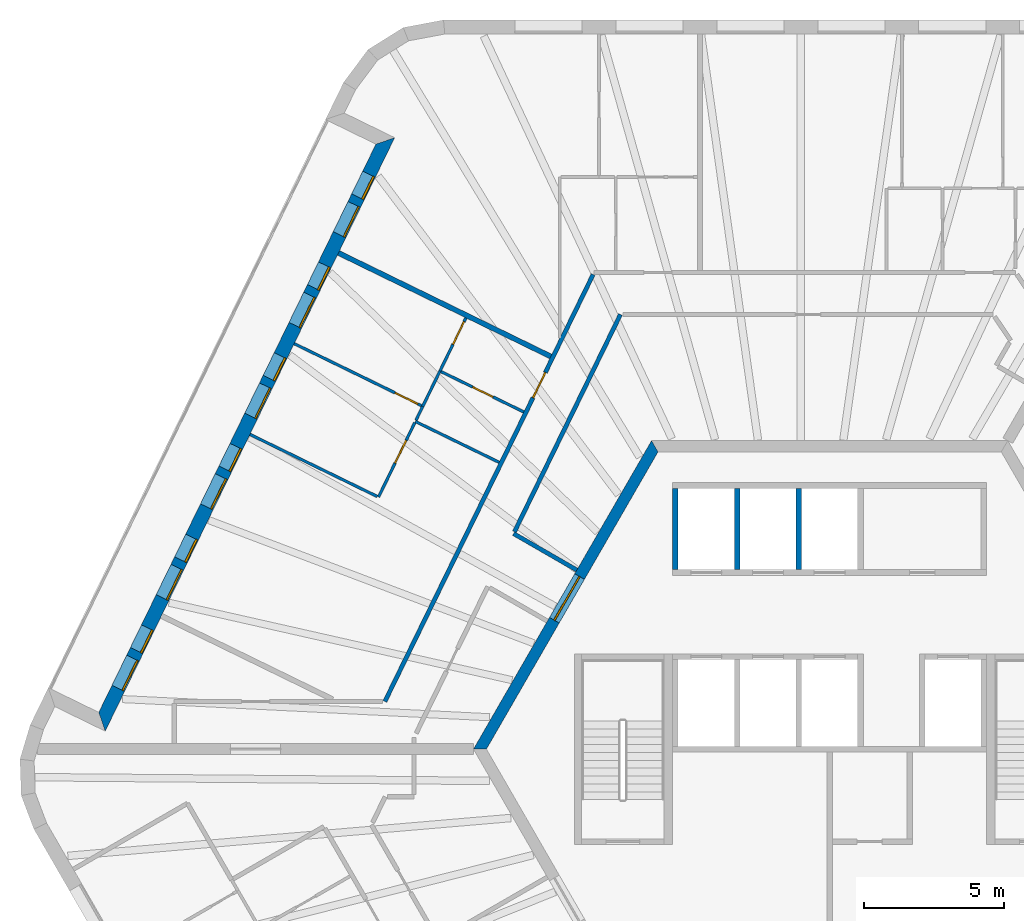
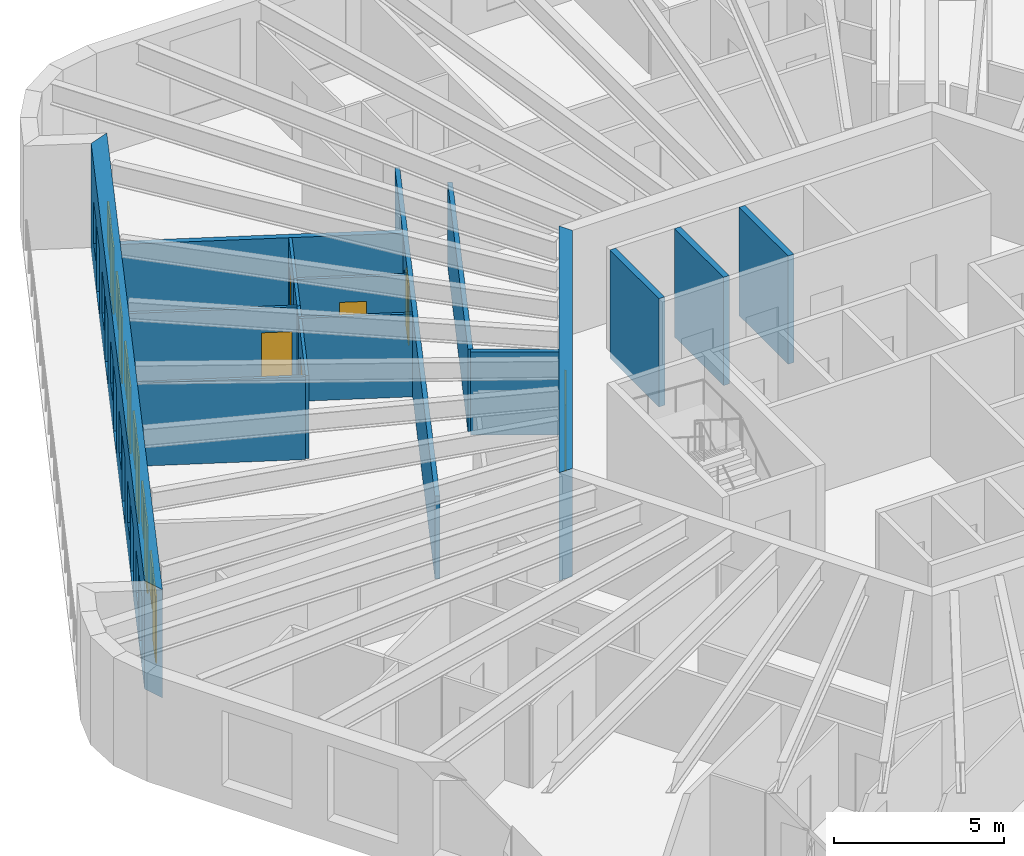
# One storey, part 8 of 12: 17 walls, 12 doors, 6 windows, 18 openings.
"""IFC4 building model written with IfcOpenShell, lengths in metres."""

from ifc_helpers import new_model, si_unit, direction, frame, frame_2d, origin, place, context, subcontext, project, spatial, polyline, rectangle, outline, extrude, material, layer, layer_set, type_object, element, fill, save


model = new_model("IFC4")

# Units and contexts
model_context = context("Model", 3, precision=1e-05, world=origin(), true_north=direction((0.0, 1.0)))
body_context = subcontext(model_context, "Body", "Model", "MODEL_VIEW")
ifc_project = project(units=[si_unit("LENGTHUNIT", "METRE"), si_unit("AREAUNIT", "SQUARE_METRE"), si_unit("VOLUMEUNIT", "CUBIC_METRE"), si_unit("PLANEANGLEUNIT", "RADIAN"), si_unit("MASSUNIT", "GRAM", prefix="KILO")], contexts=[model_context])

# Site, building, storey
site_placement = place(None, origin())
site = spatial("IfcSite", under=ifc_project, at=site_placement, CompositionType="ELEMENT")
building_placement = place(site_placement, origin())
building = spatial("IfcBuilding", under=site, at=building_placement, Name="Tarnside Tower", CompositionType="ELEMENT")
storey_placement = place(building_placement, frame((0.0, 0.0, 271.800048828125)))
storey = spatial("IfcBuildingStorey", under=building, at=storey_placement, Name="L65", CompositionType="ELEMENT", Elevation=271.800048828125)

# Wall
ifc_material_1 = material(Name="Gypsum board partition on steel studs", Category="steel")
ifc_layer_1 = layer(ifc_material_1, 0.10009765625)
ifc_layer_set_1 = layer_set([ifc_layer_1], Name="Bathroom wall 100")
wall_type_1 = type_object("IfcWallType", Name="Bathroom wall 100", PredefinedType="PARTITIONING", material=ifc_layer_set_1)
wall_1_placement = place(storey_placement, frame((-11.784912109375, 10.225830078125, 0.0), z_axis=(0.0, 0.0, 1.0), x_axis=(-0.898803726577, 0.438351298723, 0.0)))
element("IfcWall", 1, at=wall_1_placement, inside=storey, type_object=wall_type_1, Name="Bathroom wall 21106", PredefinedType="PARTITIONING", context=body_context, shape_type="SweptSolid", body=[
    extrude(rectangle(XDim=3.324951171875, YDim=0.10009765625, at=frame_2d((1.66259765625, 0.0))), origin(), (0.0, 0.0, 1.0), 2.98779296875),
])

# Wall, opening, door
wall_2_placement = place(storey_placement, frame((-13.896728515625, 13.48095703125, 0.0), z_axis=(0.0, 0.0, 1.0), x_axis=(0.898803726577, -0.438351298723, 0.0)))
wall_2 = element("IfcWall", 2, at=wall_2_placement, inside=storey, type_object=wall_type_1, Name="Bathroom wall 21110", PredefinedType="PARTITIONING", context=body_context, shape_type="SweptSolid", body=[
    extrude(rectangle(XDim=3.324951171875, YDim=0.10009765625, at=frame_2d((1.66259765625, 0.0))), origin(), (0.0, 0.0, 1.0), 2.98779296875),
])
opening_1_placement = place(wall_2_placement, frame((1.300048828125, 0.0, 0.0)))
opening_1 = element("IfcOpeningElement", 3, at=opening_1_placement, cuts=wall_2, Name="Opening D-B1", PredefinedType="OPENING", context=body_context, shape_type="SweptSolid", body=[
    extrude(rectangle(XDim=0.800048828125, YDim=2.10009765625, at=frame_2d((0.39990234375, 1.050048828125))), frame((0.0, 0.06005859375, 0.0), z_axis=(0.0, -1.0, 0.0), x_axis=(1.0, 0.0, 0.0)), (0.0, 0.0, 1.0), 0.1201171875),
])
ifc_material_2 = material(Name="Timber door leaf", Category="wood")
door_type_1 = type_object("IfcDoorType", Name="Bathroom door 800", OperationType="NOTDEFINED", PredefinedType="DOOR", material=ifc_material_2)
door_1_placement = place(opening_1_placement, origin())
door_1 = element("IfcDoor", 4, at=door_1_placement, inside=storey, type_object=door_type_1, Name="Bathroom door 21018", OperationType="SINGLE_SWING_LEFT", OverallHeight=2.10009765625, OverallWidth=0.800048828125, PredefinedType="DOOR", context=body_context, shape_type="SweptSolid", body=[
    extrude(rectangle(XDim=0.800048828125, YDim=2.10009765625, at=frame_2d((0.39990234375, 1.050048828125))), frame((0.0, 0.02490234375, 0.0), z_axis=(0.0, -1.0, 0.0), x_axis=(1.0, 0.0, 0.0)), (0.0, 0.0, 1.0), 0.050048828125),
])
fill(opening_1, door_1)

# Walls
wall_3_placement = place(storey_placement, frame((-13.895751953125, 13.48291015625, 0.0), z_axis=(0.0, 0.0, 1.0), x_axis=(-0.438416771233, -0.898771792337, 0.0)))
element("IfcWall", 5, at=wall_3_placement, inside=storey, type_object=wall_type_1, Name="Bathroom wall 21112", PredefinedType="PARTITIONING", context=body_context, shape_type="SweptSolid", body=[
    extrude(rectangle(XDim=1.402099609375, YDim=0.10009765625, at=frame_2d((0.701171875, 0.0))), origin(), (0.0, 0.0, 1.0), 2.98779296875),
])
wall_4_placement = place(storey_placement, frame((-14.510498046875, 12.22265625, 0.0), z_axis=(0.0, 0.0, 1.0), x_axis=(-0.438345197703, -0.898806702051, 0.0)))
element("IfcWall", 6, at=wall_4_placement, inside=storey, type_object=wall_type_1, Name="Bathroom wall 21113", PredefinedType="PARTITIONING", context=body_context, shape_type="SweptSolid", body=[
    extrude(rectangle(XDim=0.552001953125, YDim=0.10009765625, at=frame_2d((0.27587890625, 0.0))), origin(), (0.0, 0.0, 1.0), 2.98779296875),
])

# Wall, opening, door
ifc_material_3 = material(Name="Concrete C60/75", Category="concrete")
ifc_layer_2 = layer(ifc_material_3, 0.39990234375)
ifc_layer_set_2 = layer_set([ifc_layer_2], Name="Core wall Z3 400 C60/75")
wall_type_2 = type_object("IfcWallType", Name="Core wall Z3 400 C60/75", PredefinedType="SHEAR", material=ifc_layer_set_2)
wall_5_placement = place(storey_placement, frame((-6.2353515625, 10.800048828125, -0.150146484375), z_axis=(0.0, 0.0, 1.0), x_axis=(-0.499996419489, -0.866027470984, 0.0)))
wall_5 = element("IfcWall", 7, at=wall_5_placement, inside=storey, type_object=wall_type_2, Name="L65 core wall face 2", PredefinedType="SHEAR", context=body_context, shape_type="SweptSolid", body=[
    extrude(outline(polyline([(-0.115478515625, -0.199951171875), (12.586181640625, -0.199951171875), (12.355224609375, 0.199951171875), (0.115478515625, 0.199951171875), (-0.115478515625, -0.199951171875)])), origin(), (0.0, 0.0, 1.0), 3.900146484375),
])
opening_2_placement = place(wall_5_placement, frame((5.3642578125, 0.0, 0.14990234375)))
opening_2 = element("IfcOpeningElement", 8, at=opening_2_placement, cuts=wall_5, Name="Opening CD-LOB", PredefinedType="OPENING", context=body_context, shape_type="SweptSolid", body=[
    extrude(rectangle(XDim=1.800048828125, YDim=2.39990234375, at=frame_2d((0.89990234375, 1.199951171875))), frame((0.0, 0.2099609375, 0.0), z_axis=(0.0, -1.0, 0.0), x_axis=(1.0, 0.0, 0.0)), (0.0, 0.0, 1.0), 0.419921875),
])
ifc_material_4 = material(Name="Steel fire door", Category="steel")
door_type_2 = type_object("IfcDoorType", Name="Lobby double door FD30S 1800x2400", OperationType="NOTDEFINED", PredefinedType="DOOR", material=ifc_material_4)
door_2_placement = place(opening_2_placement, origin())
door_2 = element("IfcDoor", 9, at=door_2_placement, inside=storey, type_object=door_type_2, Name="L65 core door P1", OperationType="DOUBLE_DOOR_SINGLE_SWING", OverallHeight=2.39990234375, OverallWidth=1.800048828125, PredefinedType="DOOR", context=body_context, shape_type="SweptSolid", body=[
    extrude(rectangle(XDim=1.800048828125, YDim=2.39990234375, at=frame_2d((0.89990234375, 1.199951171875))), frame((0.0, 0.02490234375, 0.0), z_axis=(0.0, -1.0, 0.0), x_axis=(1.0, 0.0, 0.0)), (0.0, 0.0, 1.0), 0.050048828125),
])
fill(opening_2, door_2)

ifc_layer_3 = layer(ifc_material_1, 0.14990234375)
ifc_layer_set_3 = layer_set([ifc_layer_3], Name="Corridor wall 150 EI 60")
wall_type_3 = type_object("IfcWallType", Name="Corridor wall 150 EI 60", PredefinedType="PARTITIONING", material=ifc_layer_set_3)
wall_6_placement = place(storey_placement, frame((-8.43408203125, 16.925048828125, 0.0), z_axis=(0.0, 0.0, 1.0), x_axis=(-0.438371383278, -0.898793930956, 0.0)))
wall_6 = element("IfcWall", 10, at=wall_6_placement, inside=storey, type_object=wall_type_3, Name="Corridor wall 21010", PredefinedType="PARTITIONING", context=body_context, shape_type="SweptSolid", body=[
    extrude(rectangle(XDim=16.939453125, YDim=0.14990234375, at=frame_2d((8.4697265625, 0.0))), origin(), (0.0, 0.0, 1.0), 2.98779296875),
])
opening_3_placement = place(wall_6_placement, frame((3.89013671875, 0.0, 0.0)))
opening_3 = element("IfcOpeningElement", 11, at=opening_3_placement, cuts=wall_6, Name="Opening D-E1", PredefinedType="OPENING", context=body_context, shape_type="SweptSolid", body=[
    extrude(rectangle(XDim=1.0, YDim=2.10009765625, at=frame_2d((0.5, 1.050048828125))), frame((0.0, 0.0849609375, 0.0), z_axis=(0.0, -1.0, 0.0), x_axis=(1.0, 0.0, 0.0)), (0.0, 0.0, 1.0), 0.169921875),
])
door_type_3 = type_object("IfcDoorType", Name="Unit entrance door 1000 FD30S", OperationType="NOTDEFINED", PredefinedType="DOOR", material=ifc_material_2)
door_3_placement = place(opening_3_placement, origin())
door_3 = element("IfcDoor", 12, at=door_3_placement, inside=storey, type_object=door_type_3, Name="Unit door 21017", OperationType="SINGLE_SWING_RIGHT", OverallHeight=2.10009765625, OverallWidth=1.0, PredefinedType="DOOR", context=body_context, shape_type="SweptSolid", body=[
    extrude(rectangle(XDim=1.0, YDim=2.10009765625, at=frame_2d((0.5, 1.050048828125))), frame((0.0, 0.02490234375, 0.0), z_axis=(0.0, -1.0, 0.0), x_axis=(1.0, 0.0, 0.0)), (0.0, 0.0, 1.0), 0.050048828125),
])
fill(opening_3, door_3)

# Walls
wall_7_placement = place(storey_placement, frame((-9.015625, 6.38427734375, 0.0), z_axis=(0.0, 0.0, 1.0), x_axis=(-0.866031051173, 0.499990218309, 0.0)))
element("IfcWall", 13, at=wall_7_placement, inside=storey, type_object=wall_type_3, Name="Corridor wall 21020", PredefinedType="PARTITIONING", context=body_context, shape_type="SweptSolid", body=[
    extrude(rectangle(XDim=2.6044921875, YDim=0.14990234375, at=frame_2d((1.30224609375, 0.0))), origin(), (0.0, 0.0, 1.0), 2.98779296875),
])
wall_8_placement = place(storey_placement, frame((-11.23828125, 7.754150390625, 0.0), z_axis=(0.0, 0.0, 1.0), x_axis=(0.438387352899, 0.89878614187, 0.0)))
element("IfcWall", 14, at=wall_8_placement, inside=storey, type_object=wall_type_3, Name="Corridor wall 21021", PredefinedType="PARTITIONING", context=body_context, shape_type="SweptSolid", body=[
    extrude(rectangle(XDim=8.6181640625, YDim=0.14990234375, at=frame_2d((4.30908203125, 0.0))), origin(), (0.0, 0.0, 1.0), 2.98779296875),
])
ifc_layer_4 = layer(ifc_material_1, 0.179931640625)
ifc_layer_set_4 = layer_set([ifc_layer_4], Name="Demising wall 180 EI 60")
wall_type_4 = type_object("IfcWallType", Name="Demising wall 180 EI 60", PredefinedType="PARTITIONING", material=ifc_layer_set_4)
wall_9_placement = place(storey_placement, frame((-17.51611328125, 17.694091796875, 0.0), z_axis=(0.0, 0.0, 1.0), x_axis=(0.898788496909, -0.438382524543, 0.0)))
element("IfcWall", 15, at=wall_9_placement, inside=storey, type_object=wall_type_4, Name="Demising wall 21101", PredefinedType="PARTITIONING", context=body_context, shape_type="SweptSolid", body=[
    extrude(rectangle(XDim=8.425048828125, YDim=0.179931640625, at=frame_2d((4.21240234375, 0.0))), origin(), (0.0, 0.0, 1.0), 2.98779296875),
])
ifc_material_5 = material(Name="Concrete C40/50", Category="concrete")
ifc_layer_5 = layer(ifc_material_5, 0.199951171875)
ifc_layer_set_5 = layer_set([ifc_layer_5], Name="Lift shaft wall 200 C40/50")
wall_type_5 = type_object("IfcWallType", Name="Lift shaft wall 200 C40/50", PredefinedType="SHEAR", material=ifc_layer_set_5)
for number, where, z_axis, x_axis, name in (
    (16, (-5.5, 6.39990234375, -0.25), (0.0, 0.0, 1.0), (0.0, 1.0, 0.0), "L65 lift shaft partition R11"),
    (17, (-3.300048828125, 6.39990234375, -0.25), (0.0, 0.0, 1.0), (0.0, 1.0, 0.0), "L65 lift shaft partition R12"),
    (18, (-1.10009765625, 6.39990234375, -0.25), (0.0, 0.0, 1.0), (0.0, 1.0, 0.0), "L65 lift shaft partition R13"),
):
    element("IfcWall", number, at=place(storey_placement, frame(where, z_axis=z_axis, x_axis=x_axis)), inside=storey, type_object=wall_type_5, Name=name, PredefinedType="SHEAR", context=body_context, shape_type="SweptSolid", body=[
        extrude(rectangle(XDim=2.900146484375, YDim=0.199951171875, at=frame_2d((1.4501953125, 0.0))), origin(), (0.0, 0.0, 1.0), 3.89990234375),
    ])

# Wall, openings, doors, windows
ifc_material_6 = material(Name="Dark zinc cladding")
ifc_layer_6 = layer(ifc_material_6, 0.10205078125)
ifc_material_7 = material(Name="Concrete C60/75 precast", Category="concrete")
ifc_layer_7 = layer(ifc_material_7, 0.298095703125)
ifc_material_8 = material(Name="Mineral wool insulation")
ifc_layer_8 = layer(ifc_material_8, 0.10009765625)
ifc_layer_set_6 = layer_set([ifc_layer_6, ifc_layer_7, ifc_layer_8], Name="Loggia wall 500 zinc faced")
wall_type_6 = type_object("IfcWallType", Name="Loggia wall 500 zinc faced", PredefinedType="SOLIDWALL", material=ifc_layer_set_6)
wall_10_placement = place(storey_placement, frame((-15.845947265625, 21.6884765625, -0.150146484375), z_axis=(0.0, 0.0, 1.0), x_axis=(-0.438377502627, -0.898790946322, 0.0)))
wall_10 = element("IfcWall", 19, at=wall_10_placement, inside=storey, type_object=wall_type_6, Name="Tube wall L65 F2 back 06", PredefinedType="SOLIDWALL", context=body_context, shape_type="SweptSolid", body=[
    extrude(outline(polyline([(0.25, -0.25), (22.794677734375, -0.25), (23.294677734375, 0.25), (-0.25, 0.25), (0.25, -0.25)])), origin(), (0.0, 0.0, 1.0), 3.900146484375),
])
opening_4_placement = place(wall_10_placement, frame((1.322509765625, 0.0, 1.050048828125)))
opening_4 = element("IfcOpeningElement", 20, at=opening_4_placement, cuts=wall_10, Name="Opening WL500", PredefinedType="OPENING", context=body_context, shape_type="SweptSolid", body=[
    extrude(rectangle(XDim=0.89990234375, YDim=1.5, at=frame_2d((0.449951171875, 0.75))), frame((0.0, 0.260009765625, 0.0), z_axis=(0.0, -1.0, 0.0), x_axis=(1.0, 0.0, 0.0)), (0.0, 0.0, 1.0), 0.52001953125),
])
opening_5_placement = place(wall_10_placement, frame((2.5224609375, 0.0, 0.14990234375)))
opening_5 = element("IfcOpeningElement", 21, at=opening_5_placement, cuts=wall_10, Name="Opening DB500", PredefinedType="OPENING", context=body_context, shape_type="SweptSolid", body=[
    extrude(rectangle(XDim=1.199951171875, YDim=2.39990234375, at=frame_2d((0.60009765625, 1.199951171875))), frame((0.0, 0.260009765625, 0.0), z_axis=(0.0, -1.0, 0.0), x_axis=(1.0, 0.0, 0.0)), (0.0, 0.0, 1.0), 0.52001953125),
])
opening_6_placement = place(wall_10_placement, frame((4.92236328125, 0.0, 1.050048828125)))
opening_6 = element("IfcOpeningElement", 22, at=opening_6_placement, cuts=wall_10, Name="Opening WL500", PredefinedType="OPENING", context=body_context, shape_type="SweptSolid", body=[
    extrude(rectangle(XDim=0.89990234375, YDim=1.5, at=frame_2d((0.449951171875, 0.75))), frame((0.0, 0.260009765625, 0.0), z_axis=(0.0, -1.0, 0.0), x_axis=(1.0, 0.0, 0.0)), (0.0, 0.0, 1.0), 0.52001953125),
])
opening_7_placement = place(wall_10_placement, frame((6.122314453125, 0.0, 0.14990234375)))
opening_7 = element("IfcOpeningElement", 23, at=opening_7_placement, cuts=wall_10, Name="Opening DB500", PredefinedType="OPENING", context=body_context, shape_type="SweptSolid", body=[
    extrude(rectangle(XDim=1.199951171875, YDim=2.39990234375, at=frame_2d((0.60009765625, 1.199951171875))), frame((0.0, 0.260009765625, 0.0), z_axis=(0.0, -1.0, 0.0), x_axis=(1.0, 0.0, 0.0)), (0.0, 0.0, 1.0), 0.52001953125),
])
opening_8_placement = place(wall_10_placement, frame((8.5224609375, 0.0, 1.050048828125)))
opening_8 = element("IfcOpeningElement", 24, at=opening_8_placement, cuts=wall_10, Name="Opening WL500", PredefinedType="OPENING", context=body_context, shape_type="SweptSolid", body=[
    extrude(rectangle(XDim=0.89990234375, YDim=1.5, at=frame_2d((0.449951171875, 0.75))), frame((0.0, 0.260009765625, 0.0), z_axis=(0.0, -1.0, 0.0), x_axis=(1.0, 0.0, 0.0)), (0.0, 0.0, 1.0), 0.52001953125),
])
opening_9_placement = place(wall_10_placement, frame((9.722412109375, 0.0, 0.14990234375)))
opening_9 = element("IfcOpeningElement", 25, at=opening_9_placement, cuts=wall_10, Name="Opening DB500", PredefinedType="OPENING", context=body_context, shape_type="SweptSolid", body=[
    extrude(rectangle(XDim=1.199951171875, YDim=2.39990234375, at=frame_2d((0.60009765625, 1.199951171875))), frame((0.0, 0.260009765625, 0.0), z_axis=(0.0, -1.0, 0.0), x_axis=(1.0, 0.0, 0.0)), (0.0, 0.0, 1.0), 0.52001953125),
])
opening_10_placement = place(wall_10_placement, frame((12.122314453125, 0.0, 1.050048828125)))
opening_10 = element("IfcOpeningElement", 26, at=opening_10_placement, cuts=wall_10, Name="Opening WL500", PredefinedType="OPENING", context=body_context, shape_type="SweptSolid", body=[
    extrude(rectangle(XDim=0.89990234375, YDim=1.5, at=frame_2d((0.449951171875, 0.75))), frame((0.0, 0.260009765625, 0.0), z_axis=(0.0, -1.0, 0.0), x_axis=(1.0, 0.0, 0.0)), (0.0, 0.0, 1.0), 0.52001953125),
])
opening_11_placement = place(wall_10_placement, frame((13.322509765625, 0.0, 0.14990234375)))
opening_11 = element("IfcOpeningElement", 27, at=opening_11_placement, cuts=wall_10, Name="Opening DB500", PredefinedType="OPENING", context=body_context, shape_type="SweptSolid", body=[
    extrude(rectangle(XDim=1.199951171875, YDim=2.39990234375, at=frame_2d((0.60009765625, 1.199951171875))), frame((0.0, 0.260009765625, 0.0), z_axis=(0.0, -1.0, 0.0), x_axis=(1.0, 0.0, 0.0)), (0.0, 0.0, 1.0), 0.52001953125),
])
opening_12_placement = place(wall_10_placement, frame((15.722412109375, 0.0, 1.050048828125)))
opening_12 = element("IfcOpeningElement", 28, at=opening_12_placement, cuts=wall_10, Name="Opening WL500", PredefinedType="OPENING", context=body_context, shape_type="SweptSolid", body=[
    extrude(rectangle(XDim=0.89990234375, YDim=1.5, at=frame_2d((0.449951171875, 0.75))), frame((0.0, 0.260009765625, 0.0), z_axis=(0.0, -1.0, 0.0), x_axis=(1.0, 0.0, 0.0)), (0.0, 0.0, 1.0), 0.52001953125),
])
opening_13_placement = place(wall_10_placement, frame((16.92236328125, 0.0, 0.14990234375)))
opening_13 = element("IfcOpeningElement", 29, at=opening_13_placement, cuts=wall_10, Name="Opening DB500", PredefinedType="OPENING", context=body_context, shape_type="SweptSolid", body=[
    extrude(rectangle(XDim=1.199951171875, YDim=2.39990234375, at=frame_2d((0.60009765625, 1.199951171875))), frame((0.0, 0.260009765625, 0.0), z_axis=(0.0, -1.0, 0.0), x_axis=(1.0, 0.0, 0.0)), (0.0, 0.0, 1.0), 0.52001953125),
])
opening_14_placement = place(wall_10_placement, frame((19.322509765625, 0.0, 1.050048828125)))
opening_14 = element("IfcOpeningElement", 30, at=opening_14_placement, cuts=wall_10, Name="Opening WL500", PredefinedType="OPENING", context=body_context, shape_type="SweptSolid", body=[
    extrude(rectangle(XDim=0.89990234375, YDim=1.5, at=frame_2d((0.449951171875, 0.75))), frame((0.0, 0.260009765625, 0.0), z_axis=(0.0, -1.0, 0.0), x_axis=(1.0, 0.0, 0.0)), (0.0, 0.0, 1.0), 0.52001953125),
])
opening_15_placement = place(wall_10_placement, frame((20.5224609375, 0.0, 0.14990234375)))
opening_15 = element("IfcOpeningElement", 31, at=opening_15_placement, cuts=wall_10, Name="Opening DB500", PredefinedType="OPENING", context=body_context, shape_type="SweptSolid", body=[
    extrude(rectangle(XDim=1.199951171875, YDim=2.39990234375, at=frame_2d((0.60009765625, 1.199951171875))), frame((0.0, 0.260009765625, 0.0), z_axis=(0.0, -1.0, 0.0), x_axis=(1.0, 0.0, 0.0)), (0.0, 0.0, 1.0), 0.52001953125),
])
ifc_material_9 = material(Name="Aluminium-framed double glazing", Category="aluminium")
door_type_4 = type_object("IfcDoorType", Name="Balcony sliding door 1200 x 2400 in 500 wall", OperationType="SLIDING_TO_LEFT", PredefinedType="DOOR", material=ifc_material_9)
door_4_placement = place(opening_5_placement, frame((0.0, 0.1748046875, 0.0)))
door_4 = element("IfcDoor", 32, at=door_4_placement, inside=storey, type_object=door_type_4, Name="E.BD.L65.F2.00", OperationType="SLIDING_TO_LEFT", OverallHeight=2.39990234375, OverallWidth=1.199951171875, PredefinedType="DOOR", context=body_context, shape_type="SweptSolid", body=[
    extrude(rectangle(XDim=1.199951171875, YDim=2.39990234375, at=frame_2d((0.60009765625, 1.199951171875))), frame((0.0, 0.02490234375, 0.0), z_axis=(0.0, -1.0, 0.0), x_axis=(1.0, 0.0, 0.0)), (0.0, 0.0, 1.0), 0.050048828125),
])
fill(opening_5, door_4)
door_5_placement = place(opening_7_placement, frame((0.0, 0.1748046875, 0.0)))
door_5 = element("IfcDoor", 33, at=door_5_placement, inside=storey, type_object=door_type_4, Name="E.BD.L65.F2.01", OperationType="SLIDING_TO_LEFT", OverallHeight=2.39990234375, OverallWidth=1.199951171875, PredefinedType="DOOR", context=body_context, shape_type="SweptSolid", body=[
    extrude(rectangle(XDim=1.199951171875, YDim=2.39990234375, at=frame_2d((0.60009765625, 1.199951171875))), frame((0.0, 0.02490234375, 0.0), z_axis=(0.0, -1.0, 0.0), x_axis=(1.0, 0.0, 0.0)), (0.0, 0.0, 1.0), 0.050048828125),
])
fill(opening_7, door_5)
door_6_placement = place(opening_9_placement, frame((0.0, 0.1748046875, 0.0)))
door_6 = element("IfcDoor", 34, at=door_6_placement, inside=storey, type_object=door_type_4, Name="E.BD.L65.F2.02", OperationType="SLIDING_TO_LEFT", OverallHeight=2.39990234375, OverallWidth=1.199951171875, PredefinedType="DOOR", context=body_context, shape_type="SweptSolid", body=[
    extrude(rectangle(XDim=1.199951171875, YDim=2.39990234375, at=frame_2d((0.60009765625, 1.199951171875))), frame((0.0, 0.02490234375, 0.0), z_axis=(0.0, -1.0, 0.0), x_axis=(1.0, 0.0, 0.0)), (0.0, 0.0, 1.0), 0.050048828125),
])
fill(opening_9, door_6)
door_7_placement = place(opening_11_placement, frame((0.0, 0.1748046875, 0.0)))
door_7 = element("IfcDoor", 35, at=door_7_placement, inside=storey, type_object=door_type_4, Name="E.BD.L65.F2.03", OperationType="SLIDING_TO_LEFT", OverallHeight=2.39990234375, OverallWidth=1.199951171875, PredefinedType="DOOR", context=body_context, shape_type="SweptSolid", body=[
    extrude(rectangle(XDim=1.199951171875, YDim=2.39990234375, at=frame_2d((0.60009765625, 1.199951171875))), frame((0.0, 0.02490234375, 0.0), z_axis=(0.0, -1.0, 0.0), x_axis=(1.0, 0.0, 0.0)), (0.0, 0.0, 1.0), 0.050048828125),
])
fill(opening_11, door_7)
door_8_placement = place(opening_13_placement, frame((0.0, 0.1748046875, 0.0)))
door_8 = element("IfcDoor", 36, at=door_8_placement, inside=storey, type_object=door_type_4, Name="E.BD.L65.F2.04", OperationType="SLIDING_TO_LEFT", OverallHeight=2.39990234375, OverallWidth=1.199951171875, PredefinedType="DOOR", context=body_context, shape_type="SweptSolid", body=[
    extrude(rectangle(XDim=1.199951171875, YDim=2.39990234375, at=frame_2d((0.60009765625, 1.199951171875))), frame((0.0, 0.02490234375, 0.0), z_axis=(0.0, -1.0, 0.0), x_axis=(1.0, 0.0, 0.0)), (0.0, 0.0, 1.0), 0.050048828125),
])
fill(opening_13, door_8)
door_9_placement = place(opening_15_placement, frame((0.0, 0.1748046875, 0.0)))
door_9 = element("IfcDoor", 37, at=door_9_placement, inside=storey, type_object=door_type_4, Name="E.BD.L65.F2.05", OperationType="SLIDING_TO_LEFT", OverallHeight=2.39990234375, OverallWidth=1.199951171875, PredefinedType="DOOR", context=body_context, shape_type="SweptSolid", body=[
    extrude(rectangle(XDim=1.199951171875, YDim=2.39990234375, at=frame_2d((0.60009765625, 1.199951171875))), frame((0.0, 0.02490234375, 0.0), z_axis=(0.0, -1.0, 0.0), x_axis=(1.0, 0.0, 0.0)), (0.0, 0.0, 1.0), 0.050048828125),
])
fill(opening_15, door_9)
window_type = type_object("IfcWindowType", Name="Loggia window 900 x 1500 in 500 wall", PartitioningType="SINGLE_PANEL", PredefinedType="WINDOW", material=ifc_material_9)
window_1_placement = place(opening_4_placement, frame((0.0, 0.179931640625, 0.0)))
window_1 = element("IfcWindow", 38, at=window_1_placement, inside=storey, type_object=window_type, Name="E.LW.L65.F2.00", OverallHeight=1.5, OverallWidth=0.89990234375, PartitioningType="SINGLE_PANEL", PredefinedType="WINDOW", context=body_context, shape_type="SweptSolid", body=[
    extrude(rectangle(XDim=0.89990234375, YDim=1.5, at=frame_2d((0.449951171875, 0.75))), frame((0.0, 0.030029296875, 0.0), z_axis=(0.0, -1.0, 0.0), x_axis=(1.0, 0.0, 0.0)), (0.0, 0.0, 1.0), 0.06005859375),
])
fill(opening_4, window_1)
window_2_placement = place(opening_6_placement, frame((0.0, 0.179931640625, 0.0)))
window_2 = element("IfcWindow", 39, at=window_2_placement, inside=storey, type_object=window_type, Name="E.LW.L65.F2.01", OverallHeight=1.5, OverallWidth=0.89990234375, PartitioningType="SINGLE_PANEL", PredefinedType="WINDOW", context=body_context, shape_type="SweptSolid", body=[
    extrude(rectangle(XDim=0.89990234375, YDim=1.5, at=frame_2d((0.449951171875, 0.75))), frame((0.0, 0.030029296875, 0.0), z_axis=(0.0, -1.0, 0.0), x_axis=(1.0, 0.0, 0.0)), (0.0, 0.0, 1.0), 0.06005859375),
])
fill(opening_6, window_2)
window_3_placement = place(opening_8_placement, frame((0.0, 0.179931640625, 0.0)))
window_3 = element("IfcWindow", 40, at=window_3_placement, inside=storey, type_object=window_type, Name="E.LW.L65.F2.02", OverallHeight=1.5, OverallWidth=0.89990234375, PartitioningType="SINGLE_PANEL", PredefinedType="WINDOW", context=body_context, shape_type="SweptSolid", body=[
    extrude(rectangle(XDim=0.89990234375, YDim=1.5, at=frame_2d((0.449951171875, 0.75))), frame((0.0, 0.030029296875, 0.0), z_axis=(0.0, -1.0, 0.0), x_axis=(1.0, 0.0, 0.0)), (0.0, 0.0, 1.0), 0.06005859375),
])
fill(opening_8, window_3)
window_4_placement = place(opening_10_placement, frame((0.0, 0.179931640625, 0.0)))
window_4 = element("IfcWindow", 41, at=window_4_placement, inside=storey, type_object=window_type, Name="E.LW.L65.F2.03", OverallHeight=1.5, OverallWidth=0.89990234375, PartitioningType="SINGLE_PANEL", PredefinedType="WINDOW", context=body_context, shape_type="SweptSolid", body=[
    extrude(rectangle(XDim=0.89990234375, YDim=1.5, at=frame_2d((0.449951171875, 0.75))), frame((0.0, 0.030029296875, 0.0), z_axis=(0.0, -1.0, 0.0), x_axis=(1.0, 0.0, 0.0)), (0.0, 0.0, 1.0), 0.06005859375),
])
fill(opening_10, window_4)
window_5_placement = place(opening_12_placement, frame((0.0, 0.179931640625, 0.0)))
window_5 = element("IfcWindow", 42, at=window_5_placement, inside=storey, type_object=window_type, Name="E.LW.L65.F2.04", OverallHeight=1.5, OverallWidth=0.89990234375, PartitioningType="SINGLE_PANEL", PredefinedType="WINDOW", context=body_context, shape_type="SweptSolid", body=[
    extrude(rectangle(XDim=0.89990234375, YDim=1.5, at=frame_2d((0.449951171875, 0.75))), frame((0.0, 0.030029296875, 0.0), z_axis=(0.0, -1.0, 0.0), x_axis=(1.0, 0.0, 0.0)), (0.0, 0.0, 1.0), 0.06005859375),
])
fill(opening_12, window_5)
window_6_placement = place(opening_14_placement, frame((0.0, 0.179931640625, 0.0)))
window_6 = element("IfcWindow", 43, at=window_6_placement, inside=storey, type_object=window_type, Name="E.LW.L65.F2.05", OverallHeight=1.5, OverallWidth=0.89990234375, PartitioningType="SINGLE_PANEL", PredefinedType="WINDOW", context=body_context, shape_type="SweptSolid", body=[
    extrude(rectangle(XDim=0.89990234375, YDim=1.5, at=frame_2d((0.449951171875, 0.75))), frame((0.0, 0.030029296875, 0.0), z_axis=(0.0, -1.0, 0.0), x_axis=(1.0, 0.0, 0.0)), (0.0, 0.0, 1.0), 0.06005859375),
])
fill(opening_14, window_6)

# Wall, opening, door
ifc_layer_9 = layer(ifc_material_1, 0.10009765625)
ifc_layer_set_7 = layer_set([ifc_layer_9], Name="Partition 100")
wall_type_7 = type_object("IfcWallType", Name="Partition 100", PredefinedType="PARTITIONING", material=ifc_layer_set_7)
wall_11_placement = place(storey_placement, frame((-14.79443359375, 11.640380859375, 0.0), z_axis=(0.0, 0.0, 1.0), x_axis=(-0.438392673906, -0.898783546503, 0.0)))
wall_11 = element("IfcWall", 44, at=wall_11_placement, inside=storey, type_object=wall_type_7, Name="Partition wall 21107", PredefinedType="PARTITIONING", context=body_context, shape_type="SweptSolid", body=[
    extrude(rectangle(XDim=2.9521484375, YDim=0.10009765625, at=frame_2d((1.47607421875, 0.0))), origin(), (0.0, 0.0, 1.0), 2.98779296875),
])
opening_16_placement = place(wall_11_placement, frame((0.701904296875, 0.0, 0.0)))
opening_16 = element("IfcOpeningElement", 45, at=opening_16_placement, cuts=wall_11, Name="Opening D-I1", PredefinedType="OPENING", context=body_context, shape_type="SweptSolid", body=[
    extrude(rectangle(XDim=0.89990234375, YDim=2.10009765625, at=frame_2d((0.449951171875, 1.050048828125))), frame((0.0, 0.06005859375, 0.0), z_axis=(0.0, -1.0, 0.0), x_axis=(1.0, 0.0, 0.0)), (0.0, 0.0, 1.0), 0.1201171875),
])
door_type_5 = type_object("IfcDoorType", Name="Internal door 900", OperationType="NOTDEFINED", PredefinedType="DOOR", material=ifc_material_2)
door_10_placement = place(opening_16_placement, origin())
door_10 = element("IfcDoor", 46, at=door_10_placement, inside=storey, type_object=door_type_5, Name="Internal door 21024", OperationType="SINGLE_SWING_RIGHT", OverallHeight=2.10009765625, OverallWidth=0.89990234375, PredefinedType="DOOR", context=body_context, shape_type="SweptSolid", body=[
    extrude(rectangle(XDim=0.89990234375, YDim=2.10009765625, at=frame_2d((0.449951171875, 1.050048828125))), frame((0.0, 0.02490234375, 0.0), z_axis=(0.0, -1.0, 0.0), x_axis=(1.0, 0.0, 0.0)), (0.0, 0.0, 1.0), 0.050048828125),
])
fill(opening_16, door_10)

# Wall
wall_12_placement = place(storey_placement, frame((-16.133544921875, 9.009033203125, 0.0), z_axis=(0.0, 0.0, 1.0), x_axis=(-0.898802361891, 0.438354096889, 0.0)))
element("IfcWall", 47, at=wall_12_placement, inside=storey, type_object=wall_type_7, Name="Partition wall 21108", PredefinedType="PARTITIONING", context=body_context, shape_type="SweptSolid", body=[
    extrude(rectangle(XDim=5.0498046875, YDim=0.10009765625, at=frame_2d((2.52490234375, 0.0))), origin(), (0.0, 0.0, 1.0), 2.98779296875),
])

# Wall, opening, door
wall_13_placement = place(storey_placement, frame((-12.9716796875, 15.37744140625, 0.0), z_axis=(0.0, 0.0, 1.0), x_axis=(-0.438453238863, -0.898754002678, 0.0)))
wall_13 = element("IfcWall", 48, at=wall_13_placement, inside=storey, type_object=wall_type_7, Name="Partition wall 21111", PredefinedType="PARTITIONING", context=body_context, shape_type="SweptSolid", body=[
    extrude(rectangle(XDim=2.112060546875, YDim=0.10009765625, at=frame_2d((1.05615234375, 0.0))), origin(), (0.0, 0.0, 1.0), 2.98779296875),
])
opening_17_placement = place(wall_13_placement, frame((0.14990234375, 0.0, 0.0)))
opening_17 = element("IfcOpeningElement", 49, at=opening_17_placement, cuts=wall_13, Name="Opening D-I1", PredefinedType="OPENING", context=body_context, shape_type="SweptSolid", body=[
    extrude(rectangle(XDim=0.89990234375, YDim=2.10009765625, at=frame_2d((0.449951171875, 1.050048828125))), frame((0.0, 0.06005859375, 0.0), z_axis=(0.0, -1.0, 0.0), x_axis=(1.0, 0.0, 0.0)), (0.0, 0.0, 1.0), 0.1201171875),
])
door_11_placement = place(opening_17_placement, origin())
door_11 = element("IfcDoor", 50, at=door_11_placement, inside=storey, type_object=door_type_5, Name="Internal door 21020", OperationType="SINGLE_SWING_LEFT", OverallHeight=2.10009765625, OverallWidth=0.89990234375, PredefinedType="DOOR", context=body_context, shape_type="SweptSolid", body=[
    extrude(rectangle(XDim=0.89990234375, YDim=2.10009765625, at=frame_2d((0.449951171875, 1.050048828125))), frame((0.0, 0.02490234375, 0.0), z_axis=(0.0, -1.0, 0.0), x_axis=(1.0, 0.0, 0.0)), (0.0, 0.0, 1.0), 0.050048828125),
])
fill(opening_17, door_11)

wall_14_placement = place(storey_placement, frame((-19.09423828125, 14.45849609375, 0.0), z_axis=(0.0, 0.0, 1.0), x_axis=(0.898783313387, -0.438393151837, 0.0)))
wall_14 = element("IfcWall", 51, at=wall_14_placement, inside=storey, type_object=wall_type_7, Name="Partition wall 21114", PredefinedType="PARTITIONING", context=body_context, shape_type="SweptSolid", body=[
    extrude(rectangle(XDim=5.050048828125, YDim=0.10009765625, at=frame_2d((2.52490234375, 0.0))), origin(), (0.0, 0.0, 1.0), 2.98779296875),
])
opening_18_placement = place(wall_14_placement, frame((4.0, 0.0, 0.0)))
opening_18 = element("IfcOpeningElement", 52, at=opening_18_placement, cuts=wall_14, Name="Opening D-I1", PredefinedType="OPENING", context=body_context, shape_type="SweptSolid", body=[
    extrude(rectangle(XDim=0.89990234375, YDim=2.10009765625, at=frame_2d((0.449951171875, 1.050048828125))), frame((0.0, 0.06005859375, 0.0), z_axis=(0.0, -1.0, 0.0), x_axis=(1.0, 0.0, 0.0)), (0.0, 0.0, 1.0), 0.1201171875),
])
door_12_placement = place(opening_18_placement, origin())
door_12 = element("IfcDoor", 53, at=door_12_placement, inside=storey, type_object=door_type_5, Name="Internal door 21023", OperationType="SINGLE_SWING_RIGHT", OverallHeight=2.10009765625, OverallWidth=0.89990234375, PredefinedType="DOOR", context=body_context, shape_type="SweptSolid", body=[
    extrude(rectangle(XDim=0.89990234375, YDim=2.10009765625, at=frame_2d((0.449951171875, 1.050048828125))), frame((0.0, 0.02490234375, 0.0), z_axis=(0.0, -1.0, 0.0), x_axis=(1.0, 0.0, 0.0)), (0.0, 0.0, 1.0), 0.050048828125),
])
fill(opening_18, door_12)

save(model, "model.ifc")
